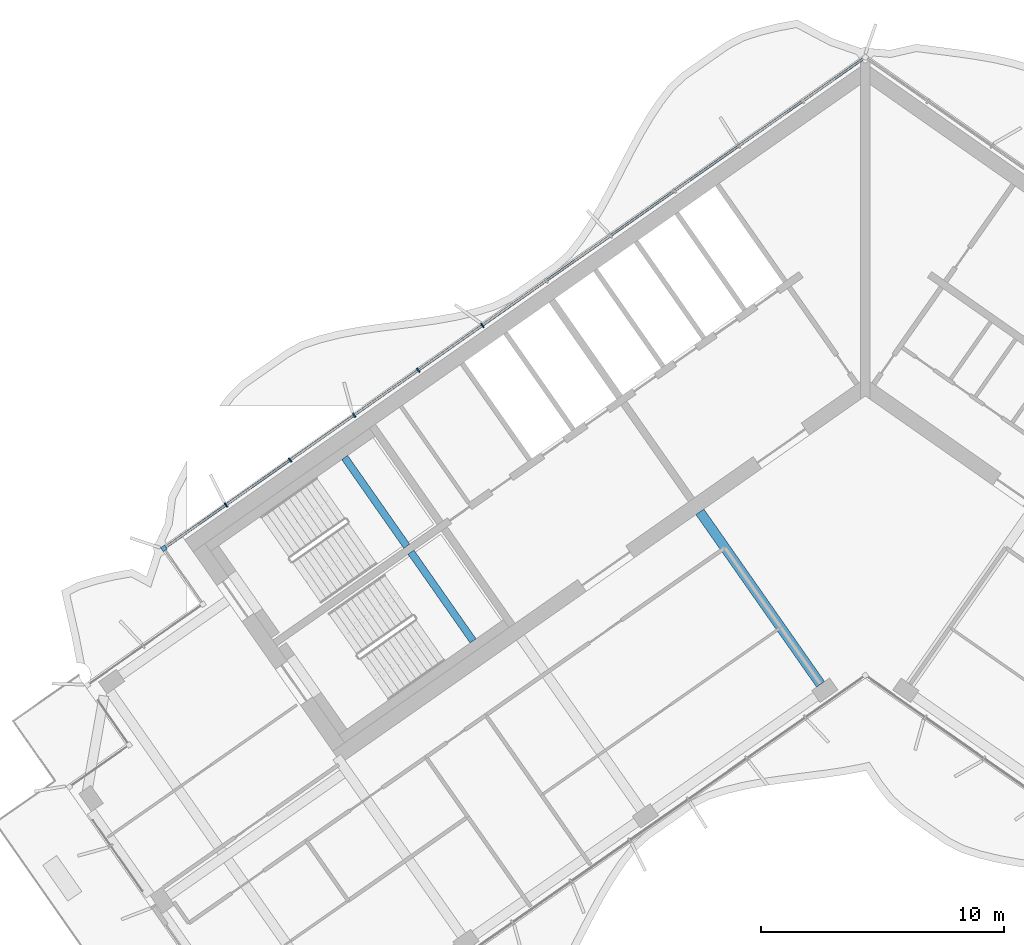
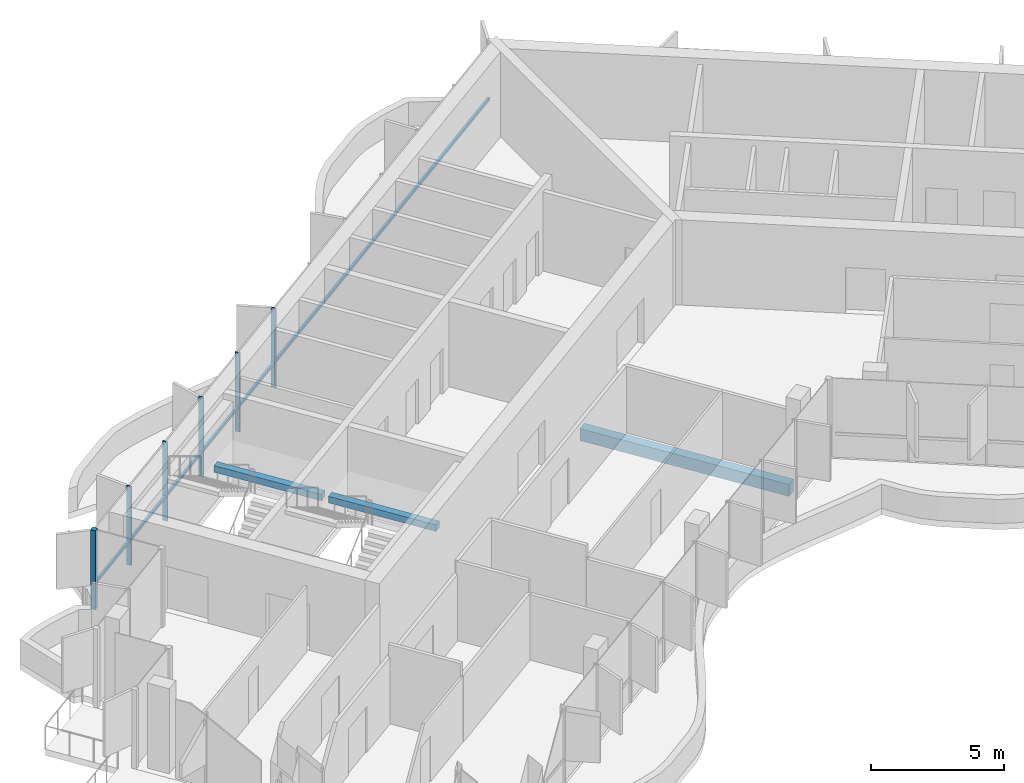
# One storey, part 3 of 21: 7 members, 3 beams, 1 element without a shape of its own.
"""IFC4 building model written with IfcOpenShell, lengths in metres."""

from ifc_helpers import new_model, si_unit, direction, frame, origin, origin_2d, place, context, subcontext, project, spatial, rectangle, extrude, material, material_profile, profile_set, type_object, element, aggregate, save


model = new_model("IFC4")

# Units and contexts
model_context = context("Model", 3, precision=1e-05, world=origin(), true_north=direction((0.0, 1.0)))
body_context = subcontext(model_context, "Body", "Model", "MODEL_VIEW")
ifc_project = project(units=[si_unit("LENGTHUNIT", "METRE"), si_unit("AREAUNIT", "SQUARE_METRE"), si_unit("VOLUMEUNIT", "CUBIC_METRE"), si_unit("PLANEANGLEUNIT", "RADIAN"), si_unit("MASSUNIT", "GRAM", prefix="KILO")], contexts=[model_context])

# Site, building, storey
site_placement = place(None, origin())
site = spatial("IfcSite", under=ifc_project, at=site_placement, CompositionType="ELEMENT")
building_placement = place(site_placement, origin())
building = spatial("IfcBuilding", under=site, at=building_placement, Name="Tel Ilan Convention Tower", CompositionType="ELEMENT")
storey_placement = place(building_placement, frame((0.0, 0.0, 225.39990234375)))
storey = spatial("IfcBuildingStorey", under=building, at=storey_placement, Name="L52", CompositionType="ELEMENT", Elevation=225.39990234375)

# Beam
ifc_material_1 = material(Name="Concrete C40/50", Category="concrete")
ifc_material_profile_1 = material_profile(ifc_material_1, rectangle(XDim=0.39990234375, YDim=0.550048828125, at=origin_2d()), Name="RC 400x550")
ifc_profile_set_1 = profile_set([ifc_material_profile_1], Name="Concrete C40/50")
beam_type_1 = type_object("IfcBeamType", Name="Beam RC 400x550 Concrete C40/50", PredefinedType="BEAM", material=ifc_profile_set_1)
beam_1_placement = place(storey_placement, frame((-1.83740234375, -13.06689453125, -0.554931640625), z_axis=(-0.573574099654, 0.819153680457, 0.0), x_axis=(-0.819153680457, -0.573574099654, 0.0)))
element("IfcBeam", 1, at=beam_1_placement, inside=storey, type_object=beam_type_1, Name="L52 beam W-W-F1-core", PredefinedType="BEAM", context=body_context, shape_type="SweptSolid", body=[
    extrude(rectangle(XDim=0.39990234375, YDim=0.550048828125, at=origin_2d()), origin(), (0.0, 0.0, 1.0), 8.64990234375),
])

# Curtain wall, members
ifc_material_2 = material(Name="Aluminium, bronze anodised", Category="aluminium")
curtain_wall_type = type_object("IfcCurtainWallType", Name="CW2 STICK CURTAIN WALL, SPANDREL PANELS", PredefinedType="NOTDEFINED", material=ifc_material_2)
curtain_wall_placement = place(storey_placement, origin())
curtain_wall = element("IfcCurtainWall", 2, at=curtain_wall_placement, inside=storey, type_object=curtain_wall_type, Name="Curtain wall CW2-41.03", PredefinedType="NOTDEFINED")
ifc_material_3 = material(Name="Aluminium, bronze anodised", Category="aluminium")
ifc_material_profile_2 = material_profile(ifc_material_3, rectangle(XDim=0.199951171875, YDim=0.199951171875, at=origin_2d()), Name="CW CORNER MULLION 200x200")
ifc_profile_set_2 = profile_set([ifc_material_profile_2], Name="Aluminium, bronze anodised")
member_type_1 = type_object("IfcMemberType", Name="CW CORNER MULLION 200x200", PredefinedType="MULLION", material=ifc_profile_set_2)
member_1_placement = place(storey_placement, frame((-28.819580078125, -7.483642578125, 0.0), z_axis=(0.0, 0.0, 1.0), x_axis=(-0.819152044289, -0.573576436351, 0.0)))
member_1 = element("IfcMember", 3, at=member_1_placement, type_object=member_type_1, Name="Corner mullion", PredefinedType="MULLION", context=body_context, shape_type="SweptSolid", body=[
    extrude(rectangle(XDim=0.199951171875, YDim=0.199951171875, at=origin_2d()), origin(), (0.0, 0.0, 1.0), 3.6201171875),
])
ifc_material_4 = material(Name="Aluminium, bronze anodised", Category="aluminium")
ifc_material_profile_3 = material_profile(ifc_material_4, rectangle(XDim=0.06005859375, YDim=0.199951171875, at=origin_2d()), Name="CW MULLION 60x200")
ifc_profile_set_3 = profile_set([ifc_material_profile_3], Name="Aluminium, bronze anodised")
member_type_2 = type_object("IfcMemberType", Name="CW MULLION 60x200", PredefinedType="MULLION", material=ifc_profile_set_3)
member_2_placement = place(storey_placement, frame((-15.73828125, 1.676025390625, 0.0), z_axis=(0.0, 0.0, 1.0), x_axis=(-0.819152044289, -0.573576436351, 0.0)))
member_2 = element("IfcMember", 4, at=member_2_placement, type_object=member_type_2, Name="Mullion", PredefinedType="MULLION", context=body_context, shape_type="SweptSolid", body=[
    extrude(rectangle(XDim=0.06005859375, YDim=0.199951171875, at=origin_2d()), origin(), (0.0, 0.0, 1.0), 3.6201171875),
])
member_3_placement = place(storey_placement, frame((-18.37109375, -0.16748046875, 0.0), z_axis=(0.0, 0.0, 1.0), x_axis=(-0.819152044289, -0.573576436351, 0.0)))
member_3 = element("IfcMember", 5, at=member_3_placement, type_object=member_type_2, Name="Mullion", PredefinedType="MULLION", context=body_context, shape_type="SweptSolid", body=[
    extrude(rectangle(XDim=0.06005859375, YDim=0.199951171875, at=origin_2d()), origin(), (0.0, 0.0, 1.0), 3.6201171875),
])
member_4_placement = place(storey_placement, frame((-21.003662109375, -2.0107421875, 0.0), z_axis=(0.0, 0.0, 1.0), x_axis=(-0.819152044289, -0.573576436351, 0.0)))
member_4 = element("IfcMember", 6, at=member_4_placement, type_object=member_type_2, Name="Mullion", PredefinedType="MULLION", context=body_context, shape_type="SweptSolid", body=[
    extrude(rectangle(XDim=0.06005859375, YDim=0.199951171875, at=origin_2d()), origin(), (0.0, 0.0, 1.0), 3.6201171875),
])
member_5_placement = place(storey_placement, frame((-23.63623046875, -3.854248046875, 0.0), z_axis=(0.0, 0.0, 1.0), x_axis=(-0.819152044289, -0.573576436351, 0.0)))
member_5 = element("IfcMember", 7, at=member_5_placement, type_object=member_type_2, Name="Mullion", PredefinedType="MULLION", context=body_context, shape_type="SweptSolid", body=[
    extrude(rectangle(XDim=0.06005859375, YDim=0.199951171875, at=origin_2d()), origin(), (0.0, 0.0, 1.0), 3.6201171875),
])
member_6_placement = place(storey_placement, frame((-26.268798828125, -5.697509765625, 0.0), z_axis=(0.0, 0.0, 1.0), x_axis=(-0.819152044289, -0.573576436351, 0.0)))
member_6 = element("IfcMember", 8, at=member_6_placement, type_object=member_type_2, Name="Mullion", PredefinedType="MULLION", context=body_context, shape_type="SweptSolid", body=[
    extrude(rectangle(XDim=0.06005859375, YDim=0.199951171875, at=origin_2d()), origin(), (0.0, 0.0, 1.0), 3.6201171875),
])
ifc_material_5 = material(Name="Aluminium, bronze anodised", Category="aluminium")
ifc_material_profile_4 = material_profile(ifc_material_5, rectangle(XDim=0.10009765625, YDim=0.1201171875, at=origin_2d()), Name="CW TRANSOM 100x120")
ifc_profile_set_4 = profile_set([ifc_material_profile_4], Name="Aluminium, bronze anodised")
member_type_3 = type_object("IfcMemberType", Name="CW TRANSOM 100x120", PredefinedType="USERDEFINED", material=ifc_profile_set_4)
member_7_placement = place(storey_placement, frame((-0.1064453125, 12.62158203125, 1.10009765625), z_axis=(-0.819150201937, -0.573579067494, 0.0), x_axis=(0.573579067494, -0.819150201937, 0.0)))
member_7 = element("IfcMember", 9, at=member_7_placement, type_object=member_type_3, Name="Transom", ObjectType="TRANSOM", PredefinedType="USERDEFINED", context=body_context, shape_type="SweptSolid", body=[
    extrude(rectangle(XDim=0.10009765625, YDim=0.1201171875, at=origin_2d()), origin(), (0.0, 0.0, 1.0), 34.9521484375),
])
aggregate(curtain_wall, [member_2, member_3, member_4, member_5, member_6, member_1, member_7])

# Beams
ifc_material_6 = material(Name="Concrete C40/50", Category="concrete")
ifc_material_profile_5 = material_profile(ifc_material_6, rectangle(XDim=0.300048828125, YDim=0.300048828125, at=origin_2d()), Name="RC 300x300")
ifc_profile_set_5 = profile_set([ifc_material_profile_5], Name="Concrete C40/50")
beam_type_2 = type_object("IfcBeamType", Name="Landing Beam RC 300x300 Concrete C40/50", PredefinedType="BEAM", material=ifc_profile_set_5)
beam_2_placement = place(storey_placement, frame((-18.841796875, -7.394287109375, 1.60009765625), z_axis=(-0.573547030514, 0.819172633691, 0.0), x_axis=(-0.819172633691, -0.573547030514, 0.0)))
element("IfcBeam", 10, at=beam_2_placement, inside=storey, type_object=beam_type_2, Name="S1 landing beam L52.1", PredefinedType="BEAM", context=body_context, shape_type="SweptSolid", body=[
    extrude(rectangle(XDim=0.300048828125, YDim=0.300048828125, at=origin_2d()), origin(), (0.0, 0.0, 1.0), 4.449951171875),
])
beam_3_placement = place(storey_placement, frame((-16.1171875, -11.285400390625, 1.60009765625), z_axis=(-0.573583844845, 0.819146856756, 0.0), x_axis=(-0.819146856756, -0.573583844845, 0.0)))
element("IfcBeam", 11, at=beam_3_placement, inside=storey, type_object=beam_type_2, Name="S2 landing beam L52.1", PredefinedType="BEAM", context=body_context, shape_type="SweptSolid", body=[
    extrude(rectangle(XDim=0.300048828125, YDim=0.300048828125, at=origin_2d()), origin(), (0.0, 0.0, 1.0), 4.4501953125),
])

save(model, "model.ifc")
